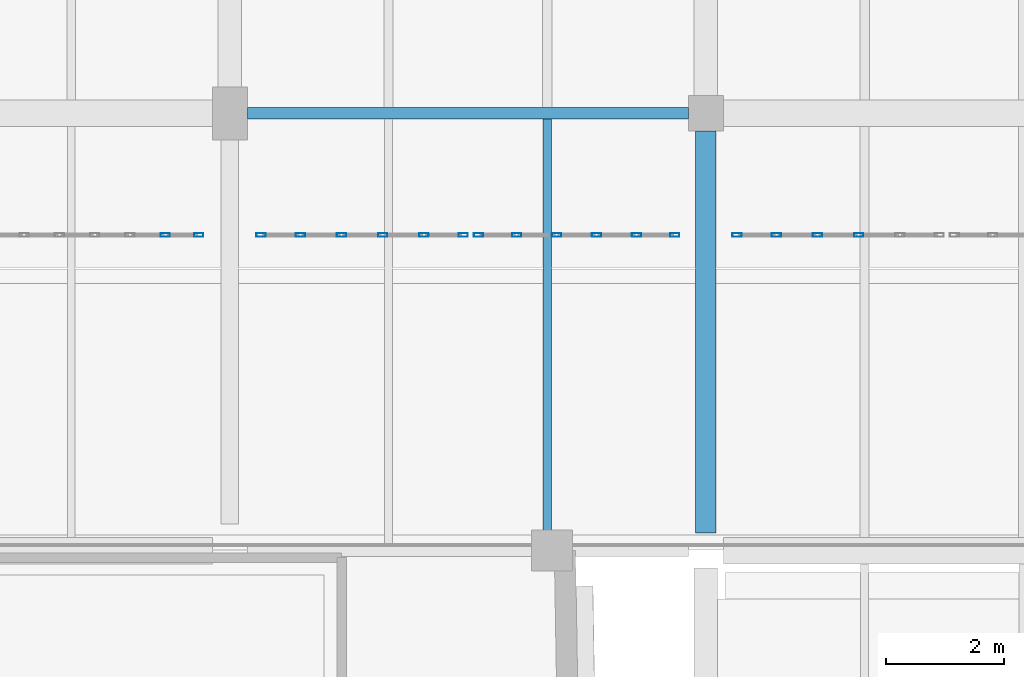
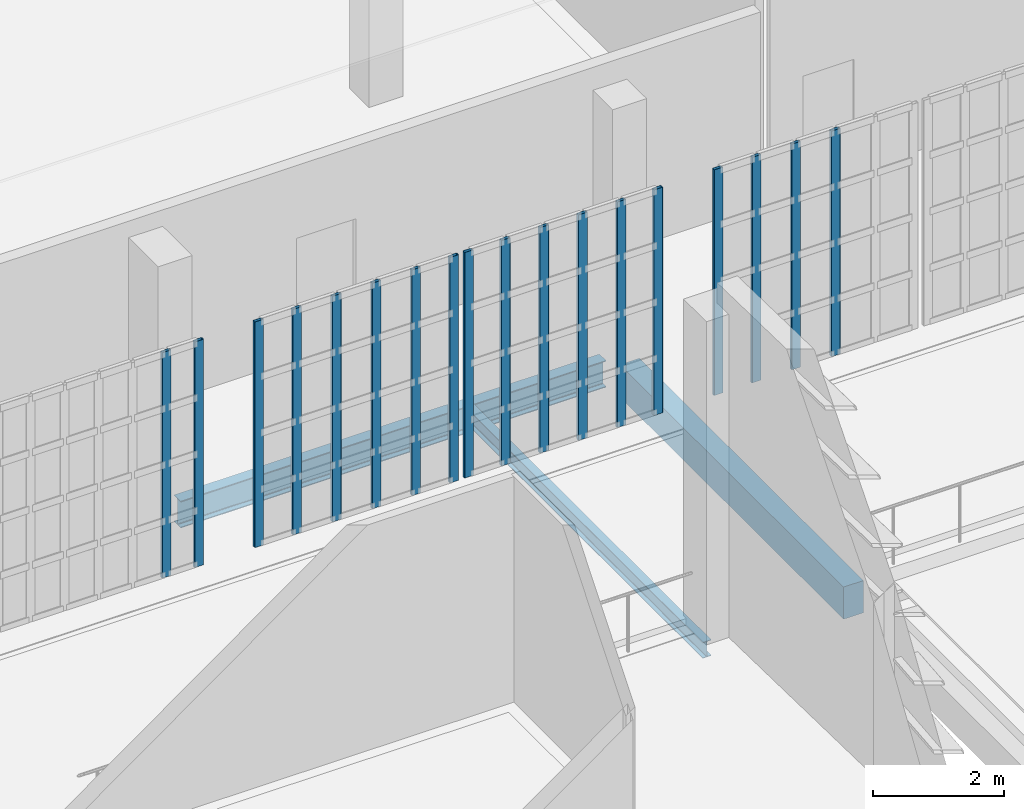
# One storey, part 22 of 73: 18 members, 3 beams, 4 elements without a shape of their own.
"""IFC4 building model written with IfcOpenShell, lengths in metres."""

import ifcopenshell
import ifcopenshell.guid

model = None  # the IFC model being written
_history = None  # IfcOwnerHistory: only IFC2X3 demands one
_inside = {}  # id of a spatial element -> (the spatial element, [elements in it])
_under = {}  # id of a project, library or spatial element -> (it, [spatial elements below it])
_declared = {}  # id of a project -> (the project, [libraries it declares])
_typed = {}  # id of a type object -> (the type object, [elements of that type])
_made_of = {}  # id of a material, layer set ... -> (it, [elements and type objects made of it])


def new_model(schema):
    """Start an empty IFC model of exactly this schema.

    Asked for "IFC4X3", IfcOpenShell would pick the latest addendum, in which some entities
    have other attributes; the version numbers below select the first issue.
    IFC2X3 requires an IfcOwnerHistory on every rooted entity: one is made here for all.
    """
    global model, _history
    if schema == "IFC4X3":
        model = ifcopenshell.file(schema_version=(4, 3, 0, 0))
    else:
        model = ifcopenshell.file(schema=schema)
    _inside.clear()
    _under.clear()
    _declared.clear()
    _typed.clear()
    _made_of.clear()
    _history = None
    if model.schema == "IFC2X3":
        org = make("IfcOrganization", Name="unknown")
        user = make(
            "IfcPersonAndOrganization",
            ThePerson=make("IfcPerson", FamilyName="unknown"),
            TheOrganization=org,
        )
        app = make(
            "IfcApplication",
            ApplicationDeveloper=org,
            Version="unknown",
            ApplicationFullName="unknown",
            ApplicationIdentifier="unknown",
        )
        _history = make(
            "IfcOwnerHistory",
            OwningUser=user,
            OwningApplication=app,
            ChangeAction="ADDED",
            CreationDate=0,
        )
    return model


def make(cls, **values):
    """One entity of the class cls with the attributes given. An attribute that is None is left unset."""
    return model.create_entity(
        cls, **{name: value for name, value in values.items() if value is not None}
    )


def rooted(cls, **values):
    """An entity with a GlobalId (a new one), such as an element, a storey or a relation."""
    return make(cls, GlobalId=ifcopenshell.guid.new(), OwnerHistory=_history, **values)


def si_unit(unit_type, name, prefix=None):
    """IfcSIUnit, for example si_unit("LENGTHUNIT", "METRE", prefix="MILLI")."""
    return make("IfcSIUnit", UnitType=unit_type, Prefix=prefix, Name=name)


def assignment(units):
    """IfcUnitAssignment: the units of a project."""
    return None if units is None else make("IfcUnitAssignment", Units=units)


def point(xyz):
    """IfcCartesianPoint."""
    return None if xyz is None else make("IfcCartesianPoint", Coordinates=xyz)


def direction(xyz):
    """IfcDirection."""
    return None if xyz is None else make("IfcDirection", DirectionRatios=xyz)


def frame(location, z_axis=None, x_axis=None):
    """IfcAxis2Placement3D, a coordinate frame: its origin and axes. An axis left out is left unset."""
    return make(
        "IfcAxis2Placement3D",
        Location=point(location),
        Axis=direction(z_axis),
        RefDirection=direction(x_axis),
    )


def frame_2d(location, x_axis=None):
    """IfcAxis2Placement2D, a coordinate frame in the plane: its origin and x axis."""
    return make(
        "IfcAxis2Placement2D", Location=point(location), RefDirection=direction(x_axis)
    )


def origin():
    """The frame at (0, 0, 0) with its axes left unset."""
    return frame((0.0, 0.0, 0.0))


def origin_2d():
    """The frame at (0, 0) in the plane with its x axis left unset."""
    return frame_2d((0.0, 0.0))


def place(relative_to, where):
    """IfcLocalPlacement: puts the frame where relative to a parent placement (None: the world)."""
    return make(
        "IfcLocalPlacement", PlacementRelTo=relative_to, RelativePlacement=where
    )


def context(
    kind, dimensions, precision=None, world=None, true_north=None, identifier=None
):
    """IfcGeometricRepresentationContext, for example the 3D "Model" context."""
    return make(
        "IfcGeometricRepresentationContext",
        ContextIdentifier=identifier,
        ContextType=kind,
        CoordinateSpaceDimension=dimensions,
        Precision=precision,
        WorldCoordinateSystem=world,
        TrueNorth=true_north,
    )


def subcontext(parent, identifier, kind, view, scale=None):
    """IfcGeometricRepresentationSubContext, for example "Body" below "Model"."""
    return make(
        "IfcGeometricRepresentationSubContext",
        ContextIdentifier=identifier,
        ContextType=kind,
        ParentContext=parent,
        TargetScale=scale,
        TargetView=view,
    )


def project(units=None, contexts=None):
    """IfcProject with its units and contexts."""
    return rooted(
        "IfcProject",
        Name="project",
        RepresentationContexts=contexts,
        UnitsInContext=assignment(units),
    )


def spatial(cls, under=None, at=None, **own):
    """A site, building, storey or space (cls), placed at a placement, below another one or the project."""
    s = rooted(cls, ObjectPlacement=at, **own)
    if under is not None:
        _under.setdefault(under.id(), (under, []))[1].append(s)
    return s


def profile(cls, at=None, kind="AREA", **sizes):
    """A parametric profile (cls). Its sizes go by their IFC names, for example OverallWidth=200.0."""
    return make(cls, ProfileType=kind, Position=at, **sizes)


def rectangle(**sizes):
    """IfcRectangleProfileDef."""
    return profile("IfcRectangleProfileDef", **sizes)


def hollow_rectangle(**sizes):
    """IfcRectangleHollowProfileDef."""
    return profile("IfcRectangleHollowProfileDef", **sizes)


def i_section(**sizes):
    """IfcIShapeProfileDef."""
    return profile("IfcIShapeProfileDef", **sizes)


def extrude(swept, where, along, depth):
    """IfcExtrudedAreaSolid: the profile swept, set in the frame where, extruded along a direction by depth."""
    return make(
        "IfcExtrudedAreaSolid",
        SweptArea=swept,
        Position=where,
        ExtrudedDirection=direction(along),
        Depth=depth,
    )


def shape(context_of_items, identifier, shape_type, items):
    """IfcShapeRepresentation: the items that make up one representation, for example the "Body"."""
    return make(
        "IfcShapeRepresentation",
        ContextOfItems=context_of_items,
        RepresentationIdentifier=identifier,
        RepresentationType=shape_type,
        Items=items,
    )


def material(Name=None, Category=None):
    """IfcMaterial."""
    return make("IfcMaterial", Name=Name, Category=Category)


def material_profile(
    of_material, cross_section, Name=None, Category=None, Priority=None
):
    """IfcMaterialProfile: a cross section and its material."""
    return make(
        "IfcMaterialProfile",
        Name=Name,
        Material=of_material,
        Profile=cross_section,
        Priority=Priority,
        Category=Category,
    )


def profile_set(profiles, Name=None, composite=None):
    """IfcMaterialProfileSet."""
    return make(
        "IfcMaterialProfileSet",
        Name=Name,
        MaterialProfiles=profiles,
        CompositeProfile=composite,
    )


def made_of(thing, what):
    """Note that an element or type object is made of a material, layer set ...; save() writes the relation."""
    if what is not None:
        _made_of.setdefault(what.id(), (what, []))[1].append(thing)
    return thing


def type_object(cls, material=None, **own):
    """A type object (cls), such as IfcWallType, which elements share."""
    return made_of(rooted(cls, **own), material)


def element(
    cls,
    number,
    at=None,
    inside=None,
    cuts=None,
    type_object=None,
    material=None,
    context=None,
    identifier="Body",
    shape_type=None,
    held_by="IfcProductDefinitionShape",
    body=None,
    shapes=None,
    **own,
):
    """One element of the class cls, such as IfcWall. Its Tag is "e" and its number.

    at: its placement. inside: the storey or other place that contains it. cuts: it is an
    opening in that element (IfcRelVoidsElement). A single representation is given by context,
    identifier, shape_type and body (its items); several are given by shapes. held_by: the class
    of the entity that holds the representations. save() writes the other relations.
    """
    e = rooted(cls, Tag="e%d" % number, ObjectPlacement=at, **own)
    if body is not None:
        shapes = [shape(context, identifier, shape_type, body)]
    if shapes is not None:
        e.Representation = make(held_by, Representations=shapes)
    if inside is not None:
        _inside.setdefault(inside.id(), (inside, []))[1].append(e)
    if cuts is not None:
        rooted(
            "IfcRelVoidsElement", RelatingBuildingElement=cuts, RelatedOpeningElement=e
        )
    if type_object is not None:
        _typed.setdefault(type_object.id(), (type_object, []))[1].append(e)
    return made_of(e, material)


def aggregate(whole, parts):
    """IfcRelAggregates: a whole, such as a stair, and the parts it consists of."""
    return rooted("IfcRelAggregates", RelatingObject=whole, RelatedObjects=parts)


def save(model, path):
    """Write the relations noted so far, then the file.

    IfcRelAggregates (storeys below a building ...), IfcRelContainedInSpatialStructure (elements
    in a storey), IfcRelDefinesByType, IfcRelAssociatesMaterial and IfcRelDeclares: one each for
    every whole, place, type object, material and project.
    """
    for whole, parts in _under.values():
        aggregate(whole, parts)
    for where, things in _inside.values():
        rooted(
            "IfcRelContainedInSpatialStructure",
            RelatedElements=things,
            RelatingStructure=where,
        )
    for kind, things in _typed.values():
        rooted("IfcRelDefinesByType", RelatedObjects=things, RelatingType=kind)
    for what, things in _made_of.values():
        rooted("IfcRelAssociatesMaterial", RelatedObjects=things, RelatingMaterial=what)
    for by, libraries in _declared.values():
        rooted("IfcRelDeclares", RelatingContext=by, RelatedDefinitions=libraries)
    model.write(path)


model = new_model("IFC4")

# Units and contexts
model_context = context("Model", 3, precision=1e-05, world=origin(), true_north=direction((0.0, 1.0)))
body_context = subcontext(model_context, "Body", "Model", "MODEL_VIEW")
ifc_project = project(units=[si_unit("LENGTHUNIT", "METRE"), si_unit("AREAUNIT", "SQUARE_METRE"), si_unit("VOLUMEUNIT", "CUBIC_METRE"), si_unit("PLANEANGLEUNIT", "RADIAN"), si_unit("MASSUNIT", "GRAM", prefix="KILO")], contexts=[model_context])

# Site, building, storey
site_placement = place(None, origin())
site = spatial("IfcSite", under=ifc_project, at=site_placement, CompositionType="ELEMENT")
building_placement = place(site_placement, origin())
building = spatial("IfcBuilding", under=site, at=building_placement, Name="Kaelora Sail Theatre", CompositionType="ELEMENT")
storey_placement = place(building_placement, frame((0.0, 0.0, 10.199951171875)))
storey = spatial("IfcBuildingStorey", under=building, at=storey_placement, Name="L02", CompositionType="ELEMENT", Elevation=10.199951171875)

# Curtain wall, members
ifc_material_1 = material(Name="Anodised aluminium and solar-control low-E IGU", Category="aluminium")
curtain_wall_type = type_object("IfcCurtainWallType", Name="ARC-CW-CW-BRG", PredefinedType="NOTDEFINED", material=ifc_material_1)
curtain_wall_1_placement = place(storey_placement, origin())
curtain_wall_1 = element("IfcCurtainWall", 1, at=curtain_wall_1_placement, inside=storey, type_object=curtain_wall_type, Name="Glazed Foyer/Conservatory Curtain Wall FC2-S-L02-01", PredefinedType="NOTDEFINED")
ifc_material_2 = material(Name="Anodised aluminium 6063-T6", Category="aluminium")
ifc_material_profile_1 = material_profile(ifc_material_2, hollow_rectangle(XDim=0.06005859375, YDim=0.159912109375, WallThickness=0.00390625, InnerFilletRadius=0.00390625, OuterFilletRadius=0.008056640625, at=origin_2d()), Name="ALU-MULL 60x160x4")
ifc_profile_set_1 = profile_set([ifc_material_profile_1], Name="Anodised aluminium 6063-T6")
member_type = type_object("IfcMemberType", Name="ARC-MEM-ML-160", PredefinedType="MULLION", material=ifc_profile_set_1)
member_1_placement = place(storey_placement, frame((97.60009765625, 66.389892578125, 0.0), z_axis=(0.0, 0.0, 1.0), x_axis=(0.0, 1.0, 0.0)))
member_1 = element("IfcMember", 2, at=member_1_placement, type_object=member_type, Name="CW-BRG mullion 6", PredefinedType="MULLION", context=body_context, shape_type="SweptSolid", body=[
    extrude(hollow_rectangle(XDim=0.06005859375, YDim=0.159912109375, WallThickness=0.00390625, InnerFilletRadius=0.00390625, OuterFilletRadius=0.008056640625, at=origin_2d()), origin(), (0.0, 0.0, 1.0), 4.205078125),
])
member_2_placement = place(storey_placement, frame((98.169921875, 66.389892578125, 0.0), z_axis=(0.0, 0.0, 1.0), x_axis=(0.0, 1.0, 0.0)))
member_2 = element("IfcMember", 3, at=member_2_placement, type_object=member_type, Name="CW-BRG mullion 7", PredefinedType="MULLION", context=body_context, shape_type="SweptSolid", body=[
    extrude(hollow_rectangle(XDim=0.06005859375, YDim=0.159912109375, WallThickness=0.00390625, InnerFilletRadius=0.00390625, OuterFilletRadius=0.008056640625, at=origin_2d()), origin(), (0.0, 0.0, 1.0), 4.205078125),
])
aggregate(curtain_wall_1, [member_1, member_2])

curtain_wall_2_placement = place(storey_placement, origin())
curtain_wall_2 = element("IfcCurtainWall", 4, at=curtain_wall_2_placement, inside=storey, type_object=curtain_wall_type, Name="Glazed Foyer/Conservatory Curtain Wall FC2-S-L02-02", PredefinedType="NOTDEFINED")
member_3_placement = place(storey_placement, frame((99.22998046875, 66.389892578125, 0.0), z_axis=(0.0, 0.0, 1.0), x_axis=(0.0, 1.0, 0.0)))
member_3 = element("IfcMember", 5, at=member_3_placement, type_object=member_type, Name="CW-BRG mullion 1", PredefinedType="MULLION", context=body_context, shape_type="SweptSolid", body=[
    extrude(hollow_rectangle(XDim=0.06005859375, YDim=0.159912109375, WallThickness=0.00390625, InnerFilletRadius=0.00390625, OuterFilletRadius=0.008056640625, at=origin_2d()), origin(), (0.0, 0.0, 1.0), 4.205078125),
])
member_4_placement = place(storey_placement, frame((99.89990234375, 66.389892578125, 0.0), z_axis=(0.0, 0.0, 1.0), x_axis=(0.0, 1.0, 0.0)))
member_4 = element("IfcMember", 6, at=member_4_placement, type_object=member_type, Name="CW-BRG mullion 2", PredefinedType="MULLION", context=body_context, shape_type="SweptSolid", body=[
    extrude(hollow_rectangle(XDim=0.06005859375, YDim=0.159912109375, WallThickness=0.00390625, InnerFilletRadius=0.00390625, OuterFilletRadius=0.008056640625, at=origin_2d()), origin(), (0.0, 0.0, 1.0), 4.205078125),
])
member_5_placement = place(storey_placement, frame((100.60009765625, 66.389892578125, 0.0), z_axis=(0.0, 0.0, 1.0), x_axis=(0.0, 1.0, 0.0)))
member_5 = element("IfcMember", 7, at=member_5_placement, type_object=member_type, Name="CW-BRG mullion 3", PredefinedType="MULLION", context=body_context, shape_type="SweptSolid", body=[
    extrude(hollow_rectangle(XDim=0.06005859375, YDim=0.159912109375, WallThickness=0.00390625, InnerFilletRadius=0.00390625, OuterFilletRadius=0.008056640625, at=origin_2d()), origin(), (0.0, 0.0, 1.0), 4.205078125),
])
member_6_placement = place(storey_placement, frame((101.300048828125, 66.389892578125, 0.0), z_axis=(0.0, 0.0, 1.0), x_axis=(0.0, 1.0, 0.0)))
member_6 = element("IfcMember", 8, at=member_6_placement, type_object=member_type, Name="CW-BRG mullion 4", PredefinedType="MULLION", context=body_context, shape_type="SweptSolid", body=[
    extrude(hollow_rectangle(XDim=0.06005859375, YDim=0.159912109375, WallThickness=0.00390625, InnerFilletRadius=0.00390625, OuterFilletRadius=0.008056640625, at=origin_2d()), origin(), (0.0, 0.0, 1.0), 4.205078125),
])
member_7_placement = place(storey_placement, frame((102.0, 66.389892578125, 0.0), z_axis=(0.0, 0.0, 1.0), x_axis=(0.0, 1.0, 0.0)))
member_7 = element("IfcMember", 9, at=member_7_placement, type_object=member_type, Name="CW-BRG mullion 5", PredefinedType="MULLION", context=body_context, shape_type="SweptSolid", body=[
    extrude(hollow_rectangle(XDim=0.06005859375, YDim=0.159912109375, WallThickness=0.00390625, InnerFilletRadius=0.00390625, OuterFilletRadius=0.008056640625, at=origin_2d()), origin(), (0.0, 0.0, 1.0), 4.205078125),
])
member_8_placement = place(storey_placement, frame((102.669921875, 66.389892578125, 0.0), z_axis=(0.0, 0.0, 1.0), x_axis=(0.0, 1.0, 0.0)))
member_8 = element("IfcMember", 10, at=member_8_placement, type_object=member_type, Name="CW-BRG mullion 6", PredefinedType="MULLION", context=body_context, shape_type="SweptSolid", body=[
    extrude(hollow_rectangle(XDim=0.06005859375, YDim=0.159912109375, WallThickness=0.00390625, InnerFilletRadius=0.00390625, OuterFilletRadius=0.008056640625, at=origin_2d()), origin(), (0.0, 0.0, 1.0), 4.205078125),
])
aggregate(curtain_wall_2, [member_3, member_4, member_5, member_6, member_7, member_8])

curtain_wall_3_placement = place(storey_placement, origin())
curtain_wall_3 = element("IfcCurtainWall", 11, at=curtain_wall_3_placement, inside=storey, type_object=curtain_wall_type, Name="Glazed Foyer/Conservatory Curtain Wall FC2-S-L02-03", PredefinedType="NOTDEFINED")
member_9_placement = place(storey_placement, frame((102.929931640625, 66.389892578125, 0.0), z_axis=(0.0, 0.0, 1.0), x_axis=(0.0, 1.0, 0.0)))
member_9 = element("IfcMember", 12, at=member_9_placement, type_object=member_type, Name="CW-BRG mullion 1", PredefinedType="MULLION", context=body_context, shape_type="SweptSolid", body=[
    extrude(hollow_rectangle(XDim=0.06005859375, YDim=0.159912109375, WallThickness=0.00390625, InnerFilletRadius=0.00390625, OuterFilletRadius=0.008056640625, at=origin_2d()), origin(), (0.0, 0.0, 1.0), 4.205078125),
])
member_10_placement = place(storey_placement, frame((103.580078125, 66.389892578125, 0.0), z_axis=(0.0, 0.0, 1.0), x_axis=(0.0, 1.0, 0.0)))
member_10 = element("IfcMember", 13, at=member_10_placement, type_object=member_type, Name="CW-BRG mullion 2", PredefinedType="MULLION", context=body_context, shape_type="SweptSolid", body=[
    extrude(hollow_rectangle(XDim=0.06005859375, YDim=0.159912109375, WallThickness=0.00390625, InnerFilletRadius=0.00390625, OuterFilletRadius=0.008056640625, at=origin_2d()), origin(), (0.0, 0.0, 1.0), 4.205078125),
])
member_11_placement = place(storey_placement, frame((104.260009765625, 66.389892578125, 0.0), z_axis=(0.0, 0.0, 1.0), x_axis=(0.0, 1.0, 0.0)))
member_11 = element("IfcMember", 14, at=member_11_placement, type_object=member_type, Name="CW-BRG mullion 3", PredefinedType="MULLION", context=body_context, shape_type="SweptSolid", body=[
    extrude(hollow_rectangle(XDim=0.06005859375, YDim=0.159912109375, WallThickness=0.00390625, InnerFilletRadius=0.00390625, OuterFilletRadius=0.008056640625, at=origin_2d()), origin(), (0.0, 0.0, 1.0), 4.205078125),
])
member_12_placement = place(storey_placement, frame((104.93994140625, 66.389892578125, 0.0), z_axis=(0.0, 0.0, 1.0), x_axis=(0.0, 1.0, 0.0)))
member_12 = element("IfcMember", 15, at=member_12_placement, type_object=member_type, Name="CW-BRG mullion 4", PredefinedType="MULLION", context=body_context, shape_type="SweptSolid", body=[
    extrude(hollow_rectangle(XDim=0.06005859375, YDim=0.159912109375, WallThickness=0.00390625, InnerFilletRadius=0.00390625, OuterFilletRadius=0.008056640625, at=origin_2d()), origin(), (0.0, 0.0, 1.0), 4.205078125),
])
member_13_placement = place(storey_placement, frame((105.6201171875, 66.389892578125, 0.0), z_axis=(0.0, 0.0, 1.0), x_axis=(0.0, 1.0, 0.0)))
member_13 = element("IfcMember", 16, at=member_13_placement, type_object=member_type, Name="CW-BRG mullion 5", PredefinedType="MULLION", context=body_context, shape_type="SweptSolid", body=[
    extrude(hollow_rectangle(XDim=0.06005859375, YDim=0.159912109375, WallThickness=0.00390625, InnerFilletRadius=0.00390625, OuterFilletRadius=0.008056640625, at=origin_2d()), origin(), (0.0, 0.0, 1.0), 4.205078125),
])
member_14_placement = place(storey_placement, frame((106.27001953125, 66.389892578125, 0.0), z_axis=(0.0, 0.0, 1.0), x_axis=(0.0, 1.0, 0.0)))
member_14 = element("IfcMember", 17, at=member_14_placement, type_object=member_type, Name="CW-BRG mullion 6", PredefinedType="MULLION", context=body_context, shape_type="SweptSolid", body=[
    extrude(hollow_rectangle(XDim=0.06005859375, YDim=0.159912109375, WallThickness=0.00390625, InnerFilletRadius=0.00390625, OuterFilletRadius=0.008056640625, at=origin_2d()), origin(), (0.0, 0.0, 1.0), 4.205078125),
])
aggregate(curtain_wall_3, [member_9, member_10, member_11, member_12, member_13, member_14])

curtain_wall_4_placement = place(storey_placement, origin())
curtain_wall_4 = element("IfcCurtainWall", 18, at=curtain_wall_4_placement, inside=storey, type_object=curtain_wall_type, Name="Glazed Foyer/Conservatory Curtain Wall FC2-S-L02-04", PredefinedType="NOTDEFINED")
member_15_placement = place(storey_placement, frame((107.330078125, 66.389892578125, 0.0), z_axis=(0.0, 0.0, 1.0), x_axis=(0.0, 1.0, 0.0)))
member_15 = element("IfcMember", 19, at=member_15_placement, type_object=member_type, Name="CW-BRG mullion 1", PredefinedType="MULLION", context=body_context, shape_type="SweptSolid", body=[
    extrude(hollow_rectangle(XDim=0.06005859375, YDim=0.159912109375, WallThickness=0.00390625, InnerFilletRadius=0.00390625, OuterFilletRadius=0.008056640625, at=origin_2d()), origin(), (0.0, 0.0, 1.0), 4.205078125),
])
member_16_placement = place(storey_placement, frame((108.0, 66.389892578125, 0.0), z_axis=(0.0, 0.0, 1.0), x_axis=(0.0, 1.0, 0.0)))
member_16 = element("IfcMember", 20, at=member_16_placement, type_object=member_type, Name="CW-BRG mullion 2", PredefinedType="MULLION", context=body_context, shape_type="SweptSolid", body=[
    extrude(hollow_rectangle(XDim=0.06005859375, YDim=0.159912109375, WallThickness=0.00390625, InnerFilletRadius=0.00390625, OuterFilletRadius=0.008056640625, at=origin_2d()), origin(), (0.0, 0.0, 1.0), 4.205078125),
])
member_17_placement = place(storey_placement, frame((108.699951171875, 66.389892578125, 0.0), z_axis=(0.0, 0.0, 1.0), x_axis=(0.0, 1.0, 0.0)))
member_17 = element("IfcMember", 21, at=member_17_placement, type_object=member_type, Name="CW-BRG mullion 3", PredefinedType="MULLION", context=body_context, shape_type="SweptSolid", body=[
    extrude(hollow_rectangle(XDim=0.06005859375, YDim=0.159912109375, WallThickness=0.00390625, InnerFilletRadius=0.00390625, OuterFilletRadius=0.008056640625, at=origin_2d()), origin(), (0.0, 0.0, 1.0), 4.205078125),
])
member_18_placement = place(storey_placement, frame((109.39990234375, 66.389892578125, 0.0), z_axis=(0.0, 0.0, 1.0), x_axis=(0.0, 1.0, 0.0)))
member_18 = element("IfcMember", 22, at=member_18_placement, type_object=member_type, Name="CW-BRG mullion 4", PredefinedType="MULLION", context=body_context, shape_type="SweptSolid", body=[
    extrude(hollow_rectangle(XDim=0.06005859375, YDim=0.159912109375, WallThickness=0.00390625, InnerFilletRadius=0.00390625, OuterFilletRadius=0.008056640625, at=origin_2d()), origin(), (0.0, 0.0, 1.0), 4.205078125),
])
aggregate(curtain_wall_4, [member_15, member_16, member_17, member_18])

# Beams
ifc_material_3 = material(Name="Steel S355", Category="steel")
ifc_material_profile_2 = material_profile(ifc_material_3, i_section(OverallWidth=0.199951171875, OverallDepth=0.5, WebThickness=0.01025390625, FlangeThickness=0.01611328125, FilletRadius=0.02099609375, at=origin_2d()), Name="IPE 500")
ifc_profile_set_2 = profile_set([ifc_material_profile_2], Name="Steel S355")
beam_type_1 = type_object("IfcBeamType", Name="STR-BM-BM-IPE500", PredefinedType="BEAM", material=ifc_profile_set_2)
beam_1_placement = place(storey_placement, frame((99.0, 68.4599609375, -0.544921875), z_axis=(1.0, 0.0, 0.0), x_axis=(0.0, 1.0, 0.0)))
element("IfcBeam", 23, at=beam_1_placement, inside=storey, type_object=beam_type_1, Name="Primary beam J 13-14 (L02)", PredefinedType="BEAM", context=body_context, shape_type="SweptSolid", body=[
    extrude(i_section(OverallWidth=0.199951171875, OverallDepth=0.5, WebThickness=0.01025390625, FlangeThickness=0.01611328125, FilletRadius=0.02099609375, at=origin_2d()), origin(), (0.0, 0.0, 1.0), 7.5),
])
ifc_material_4 = material(Name="Concrete C40/50", Category="concrete")
ifc_material_profile_3 = material_profile(ifc_material_4, rectangle(XDim=0.35009765625, YDim=0.60009765625, at=origin_2d()), Name="RC-BM 350x600")
ifc_profile_set_3 = profile_set([ifc_material_profile_3], Name="Concrete C40/50")
beam_type_2 = type_object("IfcBeamType", Name="STR-BM-BM-RC3560", PredefinedType="BEAM", material=ifc_profile_set_3)
beam_2_placement = place(storey_placement, frame((106.800048828125, 61.320068359375, -0.594970703125), z_axis=(0.0, 1.0, 0.0), x_axis=(-1.0, 0.0, 0.0)))
element("IfcBeam", 24, at=beam_2_placement, inside=storey, type_object=beam_type_2, Name="Primary beam 14 I-J (L02)", PredefinedType="BEAM", context=body_context, shape_type="SweptSolid", body=[
    extrude(rectangle(XDim=0.35009765625, YDim=0.60009765625, at=origin_2d()), origin(), (0.0, 0.0, 1.0), 6.83984375),
])
ifc_material_5 = material(Name="Steel S355", Category="steel")
ifc_material_profile_4 = material_profile(ifc_material_5, i_section(OverallWidth=0.14990234375, OverallDepth=0.300048828125, WebThickness=0.007080078125, FlangeThickness=0.0107421875, FilletRadius=0.014892578125, at=origin_2d()), Name="IPE 300")
ifc_profile_set_4 = profile_set([ifc_material_profile_4], Name="Steel S355")
beam_type_3 = type_object("IfcBeamType", Name="STR-BM-JS-IPE300", PredefinedType="JOIST", material=ifc_profile_set_4)
beam_3_placement = place(storey_placement, frame((104.10009765625, 61.1201171875, -0.445068359375), z_axis=(0.0, 1.0, 0.0), x_axis=(-1.0, 0.0, 0.0)))
element("IfcBeam", 25, at=beam_3_placement, inside=storey, type_object=beam_type_3, Name="Secondary floor joist 13/I-2 (L02)", PredefinedType="JOIST", context=body_context, shape_type="SweptSolid", body=[
    extrude(i_section(OverallWidth=0.14990234375, OverallDepth=0.300048828125, WebThickness=0.007080078125, FlangeThickness=0.0107421875, FilletRadius=0.014892578125, at=origin_2d()), origin(), (0.0, 0.0, 1.0), 7.239990234375),
])

save(model, "model.ifc")
